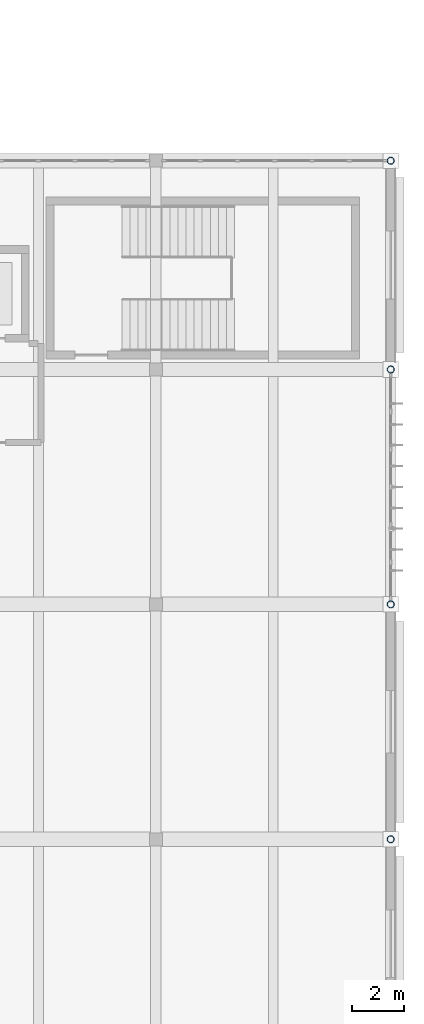
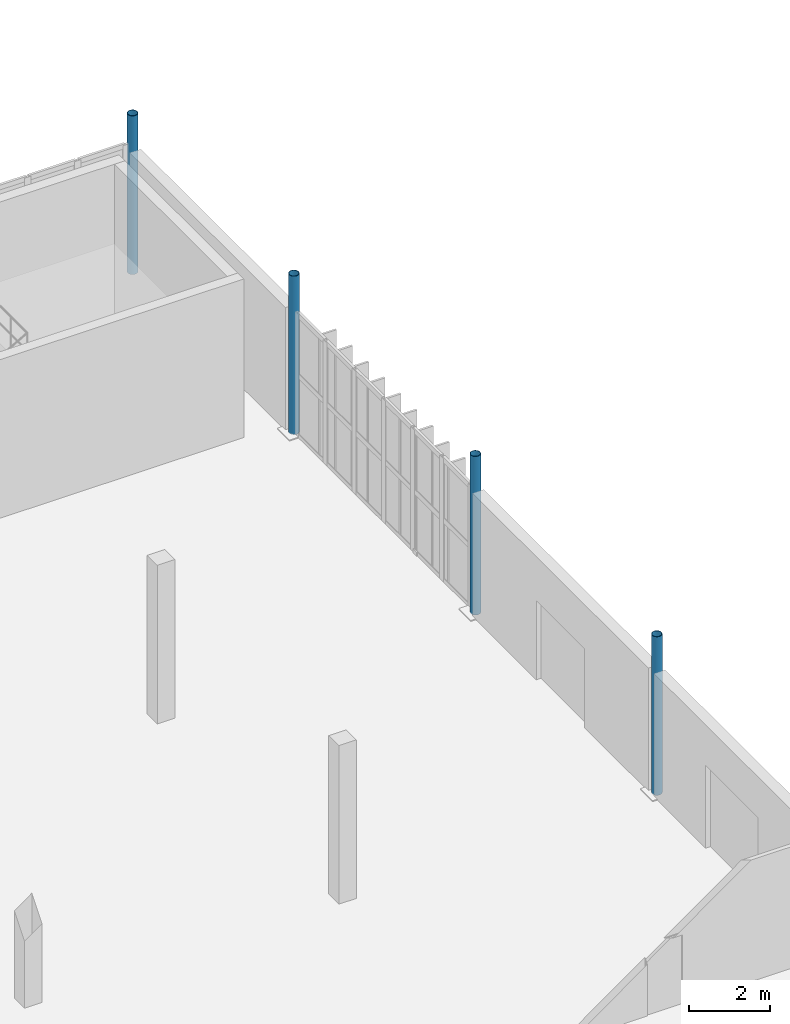
# One storey, part 5 of 72: 4 columns.
"""IFC4 building model written with IfcOpenShell, lengths in metres."""

from ifc_helpers import new_model, si_unit, direction, frame, origin, origin_2d, place, context, subcontext, project, spatial, hollow_circle, extrude, material, material_profile, profile_set, type_object, element, save


model = new_model("IFC4")

# Units and contexts
model_context = context("Model", 3, precision=1e-05, world=origin(), true_north=direction((0.0, 1.0)))
body_context = subcontext(model_context, "Body", "Model", "MODEL_VIEW")
ifc_project = project(units=[si_unit("LENGTHUNIT", "METRE"), si_unit("AREAUNIT", "SQUARE_METRE"), si_unit("VOLUMEUNIT", "CUBIC_METRE"), si_unit("PLANEANGLEUNIT", "RADIAN"), si_unit("MASSUNIT", "GRAM", prefix="KILO")], contexts=[model_context])

# Site, building, storey
site_placement = place(None, origin())
site = spatial("IfcSite", under=ifc_project, at=site_placement, CompositionType="ELEMENT")
building_placement = place(site_placement, origin())
building = spatial("IfcBuilding", under=site, at=building_placement, Name="Vourika Railside Aquatics Centre", CompositionType="ELEMENT")
storey_placement = place(building_placement, origin())
storey = spatial("IfcBuildingStorey", under=building, at=storey_placement, Name="L00", CompositionType="ELEMENT", Elevation=0.0)

# Columns
ifc_material = material(Name="Steel S355J2", Category="steel")
ifc_material_profile = material_profile(ifc_material, hollow_circle(Radius=0.136474609375, WallThickness=0.012451171875, at=origin_2d()), Name="CHS 273x12.5")
ifc_profile_set = profile_set([ifc_material_profile], Name="Steel S355J2")
column_type = type_object("IfcColumnType", Name="COL-STL-CHS273", PredefinedType="COLUMN", material=ifc_profile_set)
for number, where, z_axis, x_axis, name in (
    (1, (168.0, 66.0, 0.0), (0.0, 0.0, 1.0), (1.0, 0.0, 0.0), "Column col:L00:1680_660"),
    (2, (168.0, 75.0, 0.0), (0.0, 0.0, 1.0), (1.0, 0.0, 0.0), "Column col:L00:1680_750"),
    (3, (168.0, 84.0, 0.0), (0.0, 0.0, 1.0), (1.0, 0.0, 0.0), "Column col:L00:1680_840"),
    (4, (168.0, 92.0, 0.0), (0.0, 0.0, 1.0), (1.0, 0.0, 0.0), "Column col:L00:1680_920"),
):
    element("IfcColumn", number, at=place(storey_placement, frame(where, z_axis=z_axis, x_axis=x_axis)), inside=storey, type_object=column_type, Name=name, PredefinedType="COLUMN", context=body_context, shape_type="SweptSolid", body=[
        extrude(hollow_circle(Radius=0.136474609375, WallThickness=0.012451171875, at=origin_2d()), origin(), (0.0, 0.0, 1.0), 4.800048828125),
    ])

save(model, "model.ifc")
